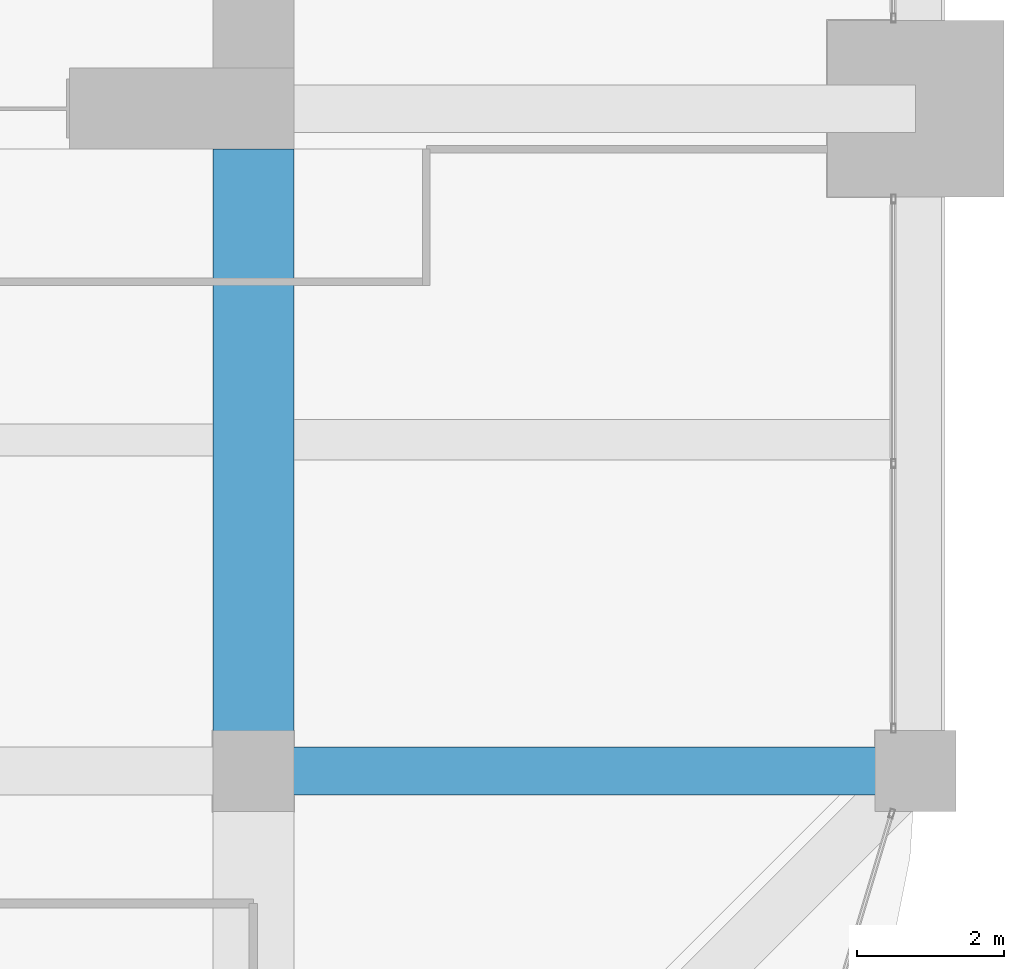
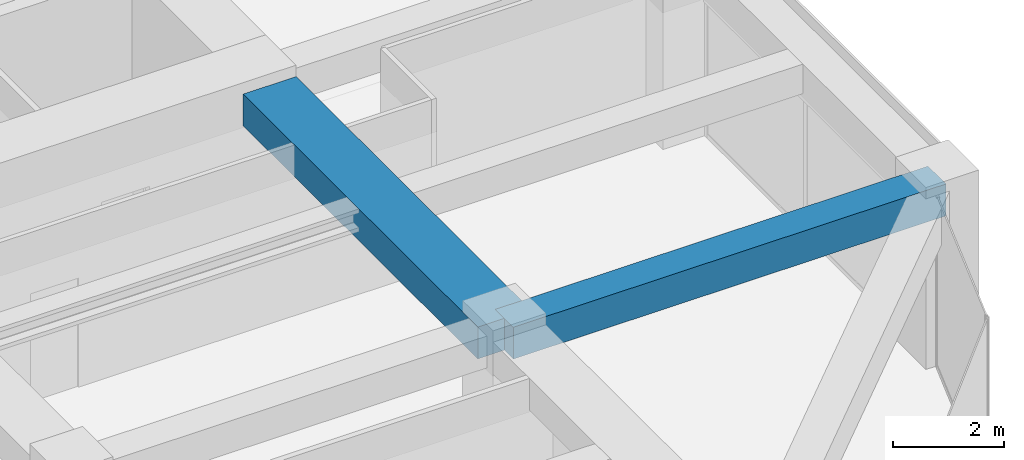
# One storey, part 21 of 45: 2 beams.
"""IFC4 building model written with IfcOpenShell, lengths in metres."""

from ifc_helpers import new_model, si_unit, direction, frame, origin, origin_2d, place, context, subcontext, project, spatial, rectangle, extrude, material, material_profile, profile_set, type_object, element, save


model = new_model("IFC4")

# Units and contexts
model_context = context("Model", 3, precision=1e-05, world=origin(), true_north=direction((0.0, 1.0)))
body_context = subcontext(model_context, "Body", "Model", "MODEL_VIEW")
ifc_project = project(units=[si_unit("LENGTHUNIT", "METRE"), si_unit("AREAUNIT", "SQUARE_METRE"), si_unit("VOLUMEUNIT", "CUBIC_METRE"), si_unit("PLANEANGLEUNIT", "RADIAN"), si_unit("MASSUNIT", "GRAM", prefix="KILO")], contexts=[model_context])

# Site, building, storey
site_placement = place(None, origin())
site = spatial("IfcSite", under=ifc_project, at=site_placement, CompositionType="ELEMENT")
building_placement = place(site_placement, origin())
building = spatial("IfcBuilding", under=site, at=building_placement, Name="Zorevar Civic Tower", CompositionType="ELEMENT")
storey_placement = place(building_placement, frame((0.0, 0.0, 247.39990234375)))
storey = spatial("IfcBuildingStorey", under=building, at=storey_placement, Name="L60", CompositionType="ELEMENT", Elevation=247.39990234375)

# Beams
ifc_material_1 = material(Name="Concrete C50/60", Category="concrete")
ifc_material_profile_1 = material_profile(ifc_material_1, rectangle(XDim=1.10009765625, YDim=0.699951171875, at=origin_2d()), Name="RC 1100x700")
ifc_profile_set_1 = profile_set([ifc_material_profile_1], Name="Concrete C50/60")
beam_type_1 = type_object("IfcBeamType", Name="Beam RC 1100x700", PredefinedType="BEAM", material=ifc_profile_set_1)
beam_1_placement = place(storey_placement, frame((45.0, 9.0, 3.400146484375), z_axis=(0.0, 1.0, 0.0), x_axis=(-1.0, 0.0, 0.0)))
element("IfcBeam", 1, at=beam_1_placement, inside=storey, type_object=beam_type_1, Name="Girder L61", PredefinedType="BEAM", context=body_context, shape_type="SweptSolid", body=[
    extrude(rectangle(XDim=1.10009765625, YDim=0.699951171875, at=origin_2d()), origin(), (0.0, 0.0, 1.0), 8.449951171875),
])
ifc_material_2 = material(Name="Concrete C50/60", Category="concrete")
ifc_material_profile_2 = material_profile(ifc_material_2, rectangle(XDim=0.64990234375, YDim=0.699951171875, at=origin_2d()), Name="RC 650x700")
ifc_profile_set_2 = profile_set([ifc_material_profile_2], Name="Concrete C50/60")
beam_type_2 = type_object("IfcBeamType", Name="Beam RC 650x700", PredefinedType="BEAM", material=ifc_profile_set_2)
beam_2_placement = place(storey_placement, frame((45.0, 9.0, 3.400146484375), z_axis=(1.0, 0.0, 0.0), x_axis=(0.0, 1.0, 0.0)))
element("IfcBeam", 2, at=beam_2_placement, inside=storey, type_object=beam_type_2, Name="Girder L61", PredefinedType="BEAM", context=body_context, shape_type="SweptSolid", body=[
    extrude(rectangle(XDim=0.64990234375, YDim=0.699951171875, at=origin_2d()), origin(), (0.0, 0.0, 1.0), 9.0),
])

save(model, "model.ifc")
